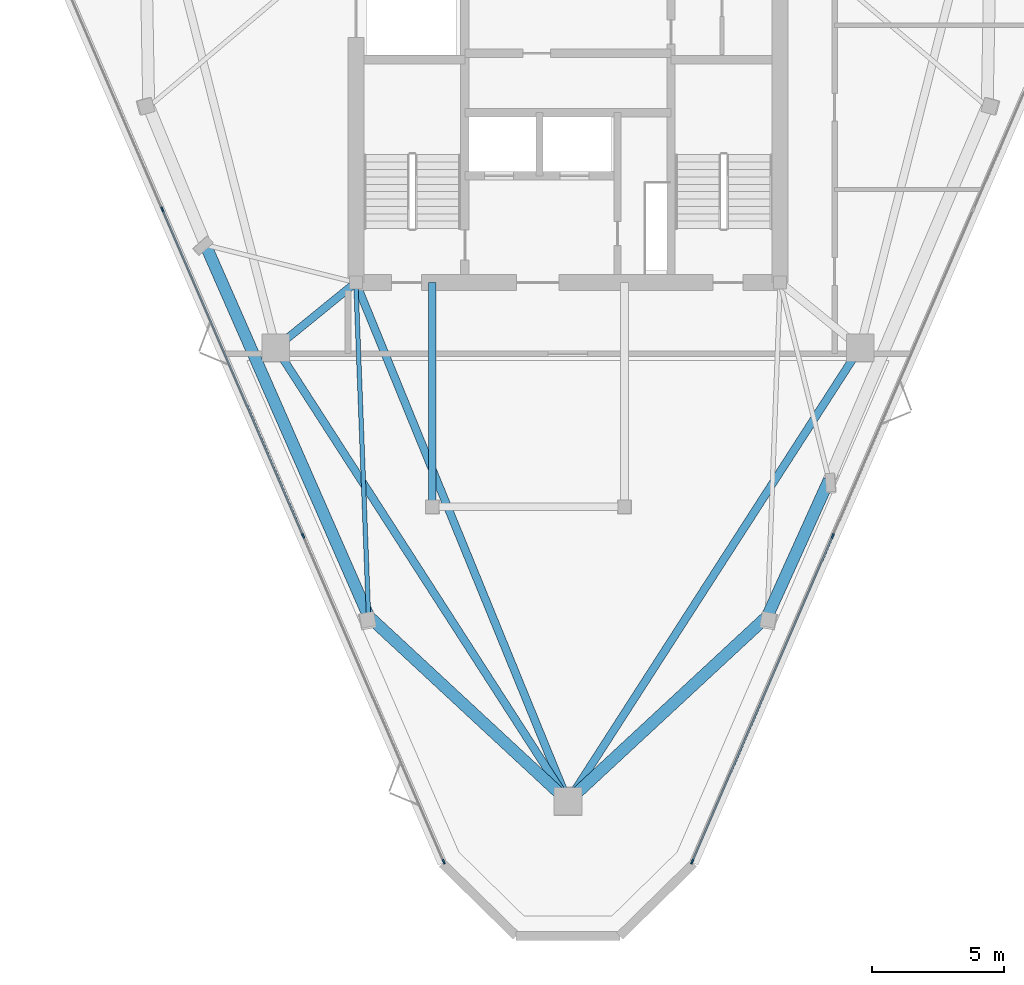
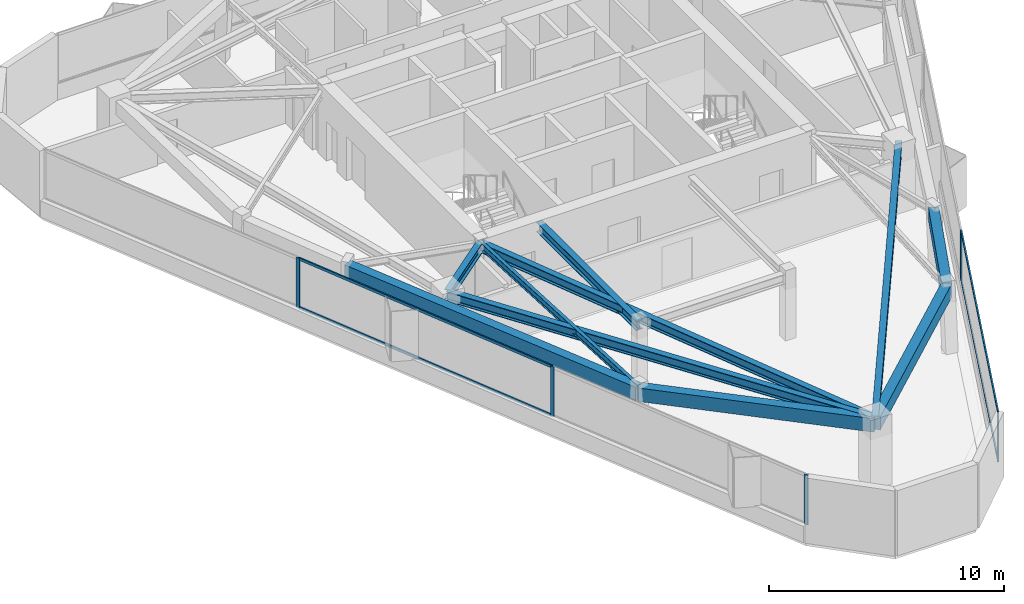
# One storey, part 2 of 9: 10 beams, 9 members, 2 elements without a shape of their own.
"""IFC4 building model written with IfcOpenShell, lengths in metres."""

from ifc_helpers import new_model, si_unit, direction, frame, origin, origin_2d, place, context, subcontext, project, spatial, rectangle, i_section, extrude, material, layer, layer_set, material_profile, profile_set, type_object, element, aggregate, save


model = new_model("IFC4")

# Units and contexts
model_context = context("Model", 3, precision=1e-05, world=origin(), true_north=direction((0.0, 1.0)))
body_context = subcontext(model_context, "Body", "Model", "MODEL_VIEW")
ifc_project = project(units=[si_unit("LENGTHUNIT", "METRE"), si_unit("AREAUNIT", "SQUARE_METRE"), si_unit("VOLUMEUNIT", "CUBIC_METRE"), si_unit("PLANEANGLEUNIT", "RADIAN"), si_unit("MASSUNIT", "GRAM", prefix="KILO")], contexts=[model_context])

# Site, building, storey
site_placement = place(None, origin())
site = spatial("IfcSite", under=ifc_project, at=site_placement, CompositionType="ELEMENT")
building_placement = place(site_placement, origin())
building = spatial("IfcBuilding", under=site, at=building_placement, Name="Talyreon Biosciences Tower", CompositionType="ELEMENT")
storey_placement = place(building_placement, frame((0.0, 0.0, 291.10009765625)))
storey = spatial("IfcBuildingStorey", under=building, at=storey_placement, Name="L77", CompositionType="ELEMENT", Elevation=291.10009765625)

# Curtain wall, members
ifc_material_1 = material(Name="Thermally broken aluminium and low-E glazing", Category="aluminium")
ifc_layer = layer(ifc_material_1, 0.175048828125)
ifc_layer_set = layer_set([ifc_layer], Name="Thermally broken aluminium and low-E glazing")
curtain_wall_type = type_object("IfcCurtainWallType", Name="CurtainWall_Zone5CompLab", PredefinedType="NOTDEFINED", material=ifc_layer_set)
curtain_wall_1_placement = place(storey_placement, origin())
curtain_wall_1 = element("IfcCurtainWall", 1, at=curtain_wall_1_placement, inside=storey, type_object=curtain_wall_type, Name="L77 Unitised Curtain Wall FCW-L77-00", PredefinedType="NOTDEFINED")
ifc_material_2 = material(Name="Anodised thermally broken aluminium", Category="aluminium")
ifc_material_profile_1 = material_profile(ifc_material_2, rectangle(XDim=0.06494140625, YDim=0.179931640625, at=origin_2d()), Name="ALUM MULLION 65x180")
ifc_profile_set_1 = profile_set([ifc_material_profile_1], Name="Anodised thermally broken aluminium")
member_type_1 = type_object("IfcMemberType", Name="CWMullion_65x180", PredefinedType="MULLION", material=ifc_profile_set_1)
member_1_placement = place(storey_placement, frame((61.2861328125, 39.369140625, 0.809814453125), z_axis=(0.0, 0.0, 1.0), x_axis=(-0.918187314575, -0.396146507437, 0.0)))
member_1 = element("IfcMember", 2, at=member_1_placement, type_object=member_type_1, Name="CW6 mullion 1", PredefinedType="MULLION", context=body_context, shape_type="SweptSolid", body=[
    extrude(rectangle(XDim=0.06494140625, YDim=0.179931640625, at=origin_2d()), origin(), (0.0, 0.0, 1.0), 2.590087890625),
])
member_2_placement = place(storey_placement, frame((55.951416015625, 51.733642578125, 0.809814453125), z_axis=(0.0, 0.0, 1.0), x_axis=(-0.918187314575, -0.396146507437, 0.0)))
member_2 = element("IfcMember", 3, at=member_2_placement, type_object=member_type_1, Name="CW6 mullion 2", PredefinedType="MULLION", context=body_context, shape_type="SweptSolid", body=[
    extrude(rectangle(XDim=0.06494140625, YDim=0.179931640625, at=origin_2d()), origin(), (0.0, 0.0, 1.0), 2.590087890625),
])
member_3_placement = place(storey_placement, frame((50.60400390625, 64.1279296875, 0.809814453125), z_axis=(0.0, 0.0, 1.0), x_axis=(-0.918187314575, -0.396146507437, 0.0)))
member_3 = element("IfcMember", 4, at=member_3_placement, type_object=member_type_1, Name="CW6 mullion 3", PredefinedType="MULLION", context=body_context, shape_type="SweptSolid", body=[
    extrude(rectangle(XDim=0.06494140625, YDim=0.179931640625, at=origin_2d()), origin(), (0.0, 0.0, 1.0), 2.590087890625),
])

curtain_wall_2_placement = place(storey_placement, origin())
curtain_wall_2 = element("IfcCurtainWall", 5, at=curtain_wall_2_placement, inside=storey, type_object=curtain_wall_type, Name="L77 Unitised Curtain Wall FCW-L77-08", PredefinedType="NOTDEFINED")
member_4_placement = place(storey_placement, frame((76.048583984375, 51.733642578125, 0.809814453125), z_axis=(0.0, 0.0, 1.0), x_axis=(0.918187314575, -0.396146507437, 0.0)))
member_4 = element("IfcMember", 6, at=member_4_placement, type_object=member_type_1, Name="CW6 mullion 3", PredefinedType="MULLION", context=body_context, shape_type="SweptSolid", body=[
    extrude(rectangle(XDim=0.06494140625, YDim=0.179931640625, at=origin_2d()), origin(), (0.0, 0.0, 1.0), 2.590087890625),
])
member_5_placement = place(storey_placement, frame((70.7138671875, 39.369140625, 0.809814453125), z_axis=(0.0, 0.0, 1.0), x_axis=(0.918187314575, -0.396146507437, 0.0)))
member_5 = element("IfcMember", 7, at=member_5_placement, type_object=member_type_1, Name="CW6 mullion 4", PredefinedType="MULLION", context=body_context, shape_type="SweptSolid", body=[
    extrude(rectangle(XDim=0.06494140625, YDim=0.179931640625, at=origin_2d()), origin(), (0.0, 0.0, 1.0), 2.590087890625),
])

# Member
ifc_material_profile_2 = material_profile(ifc_material_2, rectangle(XDim=0.06494140625, YDim=0.139892578125, at=origin_2d()), Name="ALUM TRANSOM 65x140")
ifc_profile_set_2 = profile_set([ifc_material_profile_2], Name="Anodised thermally broken aluminium")
member_type_2 = type_object("IfcMemberType", Name="CWTransom_65x140", PredefinedType="USERDEFINED", material=ifc_profile_set_2)
member_6_placement = place(storey_placement, frame((55.9384765625, 51.763427734375, 0.84228515625), z_axis=(-0.396140083642, 0.918190086056, 0.0), x_axis=(-0.918190086056, -0.396140083642, 0.0)))
member_6 = element("IfcMember", 8, at=member_6_placement, type_object=member_type_2, Name="CW6 transom 2.1", ObjectType="TRANSOM", PredefinedType="USERDEFINED", context=body_context, shape_type="SweptSolid", body=[
    extrude(rectangle(XDim=0.06494140625, YDim=0.139892578125, at=origin_2d()), origin(), (0.0, 0.0, 1.0), 13.433349609375),
])

member_7_placement = place(storey_placement, frame((55.9384765625, 51.763427734375, 3.367431640625), z_axis=(-0.396140083642, 0.918190086056, 0.0), x_axis=(-0.918190086056, -0.396140083642, 0.0)))
member_7 = element("IfcMember", 9, at=member_7_placement, type_object=member_type_2, Name="CW6 transom 2.2", ObjectType="TRANSOM", PredefinedType="USERDEFINED", context=body_context, shape_type="SweptSolid", body=[
    extrude(rectangle(XDim=0.06494140625, YDim=0.139892578125, at=origin_2d()), origin(), (0.0, 0.0, 1.0), 13.433349609375),
])

aggregate(curtain_wall_1, [member_1, member_2, member_3, member_6, member_7])

member_8_placement = place(storey_placement, frame((76.03564453125, 51.70361328125, 0.84228515625), z_axis=(-0.39614983923, -0.918185877085, 0.0), x_axis=(0.918185877085, -0.39614983923, 0.0)))
member_8 = element("IfcMember", 10, at=member_8_placement, type_object=member_type_2, Name="CW6 transom 3.1", ObjectType="TRANSOM", PredefinedType="USERDEFINED", context=body_context, shape_type="SweptSolid", body=[
    extrude(rectangle(XDim=0.06494140625, YDim=0.139892578125, at=origin_2d()), origin(), (0.0, 0.0, 1.0), 13.401123046875),
])

member_9_placement = place(storey_placement, frame((76.03564453125, 51.70361328125, 3.367431640625), z_axis=(-0.39614983923, -0.918185877085, 0.0), x_axis=(0.918185877085, -0.39614983923, 0.0)))
member_9 = element("IfcMember", 11, at=member_9_placement, type_object=member_type_2, Name="CW6 transom 3.2", ObjectType="TRANSOM", PredefinedType="USERDEFINED", context=body_context, shape_type="SweptSolid", body=[
    extrude(rectangle(XDim=0.06494140625, YDim=0.139892578125, at=origin_2d()), origin(), (0.0, 0.0, 1.0), 13.401123046875),
])

aggregate(curtain_wall_2, [member_4, member_5, member_8, member_9])

# Beams
ifc_material_3 = material(Name="Precast concrete C45/55", Category="concrete")
ifc_material_profile_3 = material_profile(ifc_material_3, rectangle(XDim=0.449951171875, YDim=0.699951171875, at=origin_2d()), Name="RCB 450x700")
ifc_profile_set_3 = profile_set([ifc_material_profile_3], Name="Precast concrete C45/55")
beam_type_1 = type_object("IfcBeamType", Name="ExpressedSpandrel_450x700", PredefinedType="SPANDREL", material=ifc_profile_set_3)
beam_1_placement = place(storey_placement, frame((66.0, 41.6669921875, 3.0498046875), z_axis=(0.73318925778, 0.680024640933, 0.0), x_axis=(-0.680024640933, 0.73318925778, 0.0)))
element("IfcBeam", 12, at=beam_1_placement, inside=storey, type_object=beam_type_1, Name="L77 Expressed Horizontal Concrete Spandrel 01", PredefinedType="SPANDREL", context=body_context, shape_type="SweptSolid", body=[
    extrude(rectangle(XDim=0.449951171875, YDim=0.699951171875, at=origin_2d()), origin(), (0.0, 0.0, 1.0), 10.3232421875),
])
beam_2_placement = place(storey_placement, frame((73.56884765625, 48.68701171875, 3.0498046875), z_axis=(0.412261476552, 0.911065571159, 0.0), x_axis=(-0.911065571159, 0.412261476552, 0.0)))
element("IfcBeam", 13, at=beam_2_placement, inside=storey, type_object=beam_type_1, Name="L77 Expressed Horizontal Concrete Spandrel 02", PredefinedType="SPANDREL", context=body_context, shape_type="SweptSolid", body=[
    extrude(rectangle(XDim=0.449951171875, YDim=0.699951171875, at=origin_2d()), origin(), (0.0, 0.0, 1.0), 5.67041015625),
])
beam_3_placement = place(storey_placement, frame((52.243408203125, 62.77685546875, 3.0498046875), z_axis=(0.402096793527, -0.915597165043, 0.0), x_axis=(0.915597165043, 0.402096793527, 0.0)))
element("IfcBeam", 14, at=beam_3_placement, inside=storey, type_object=beam_type_1, Name="L77 Expressed Horizontal Concrete Spandrel 11", PredefinedType="SPANDREL", context=body_context, shape_type="SweptSolid", body=[
    extrude(rectangle(XDim=0.449951171875, YDim=0.699951171875, at=origin_2d()), origin(), (0.0, 0.0, 1.0), 15.388671875),
])
beam_4_placement = place(storey_placement, frame((58.43115234375, 48.68701171875, 3.0498046875), z_axis=(0.73318925778, -0.680024640933, 0.0), x_axis=(0.680024640933, 0.73318925778, 0.0)))
element("IfcBeam", 15, at=beam_4_placement, inside=storey, type_object=beam_type_1, Name="L77 Expressed Horizontal Concrete Spandrel 12", PredefinedType="SPANDREL", context=body_context, shape_type="SweptSolid", body=[
    extrude(rectangle(XDim=0.449951171875, YDim=0.699951171875, at=origin_2d()), origin(), (0.0, 0.0, 1.0), 10.3232421875),
])
ifc_material_4 = material(Name="Steel SM355", Category="steel")
ifc_material_profile_4 = material_profile(ifc_material_4, i_section(OverallWidth=0.300048828125, OverallDepth=0.5, WebThickness=0.014404296875, FlangeThickness=0.028076171875, FilletRadius=0.027099609375, at=origin_2d()), Name="HE500B")
ifc_profile_set_4 = profile_set([ifc_material_profile_4], Name="Steel SM355")
beam_type_2 = type_object("IfcBeamType", Name="SteelBeam_HE500B", PredefinedType="BEAM", material=ifc_profile_set_4)
for number, where, z_axis, x_axis, name in (
    (16, (66.0, 41.6669921875, 3.14990234375), (0.541463723609, 0.840724114092, 0.0), (-0.840724114092, 0.541463723609, 0.0), "L77 Mega-Ring Girder 1"),
    (17, (54.913818359375, 58.88037109375, 3.14990234375), (0.541463723609, -0.840724114092, 0.0), (0.840724114092, 0.541463723609, 0.0), "L77 Mega-Ring Girder 6"),
):
    element("IfcBeam", number, at=place(storey_placement, frame(where, z_axis=z_axis, x_axis=x_axis)), inside=storey, type_object=beam_type_2, Name=name, PredefinedType="BEAM", context=body_context, shape_type="SweptSolid", body=[
        extrude(i_section(OverallWidth=0.300048828125, OverallDepth=0.5, WebThickness=0.014404296875, FlangeThickness=0.028076171875, FilletRadius=0.027099609375, at=origin_2d()), origin(), (0.0, 0.0, 1.0), 20.474365234375),
    ])
beam_5_placement = place(storey_placement, frame((57.949951171875, 61.35009765625, 3.14990234375), z_axis=(0.378547014545, -0.925582064314, 0.0), x_axis=(0.925582064314, 0.378547014545, 0.0)))
element("IfcBeam", 18, at=beam_5_placement, inside=storey, type_object=beam_type_2, Name="L77 Radial Primary Girder 1", PredefinedType="BEAM", context=body_context, shape_type="SweptSolid", body=[
    extrude(i_section(OverallWidth=0.300048828125, OverallDepth=0.5, WebThickness=0.014404296875, FlangeThickness=0.028076171875, FilletRadius=0.027099609375, at=origin_2d()), origin(), (0.0, 0.0, 1.0), 21.265625),
])
beam_6_placement = place(storey_placement, frame((57.949951171875, 61.35009765625, 3.14990234375), z_axis=(-0.775755154013, -0.631034025249, 0.0), x_axis=(0.631034025249, -0.775755154013, 0.0)))
element("IfcBeam", 19, at=beam_6_placement, inside=storey, type_object=beam_type_2, Name="L77 Radial Primary Girder 6", PredefinedType="BEAM", context=body_context, shape_type="SweptSolid", body=[
    extrude(i_section(OverallWidth=0.300048828125, OverallDepth=0.5, WebThickness=0.014404296875, FlangeThickness=0.028076171875, FilletRadius=0.027099609375, at=origin_2d()), origin(), (0.0, 0.0, 1.0), 3.913818359375),
])
beam_7_placement = place(storey_placement, frame((60.85009765625, 52.840087890625, 3.14990234375), z_axis=(0.0, 1.0, 0.0), x_axis=(-1.0, 0.0, 0.0)))
element("IfcBeam", 20, at=beam_7_placement, inside=storey, type_object=beam_type_2, Name="L77 Crown Shaft Tie Girder W", PredefinedType="BEAM", context=body_context, shape_type="SweptSolid", body=[
    extrude(i_section(OverallWidth=0.300048828125, OverallDepth=0.5, WebThickness=0.014404296875, FlangeThickness=0.028076171875, FilletRadius=0.027099609375, at=origin_2d()), origin(), (0.0, 0.0, 1.0), 8.510009765625),
])
ifc_material_profile_5 = material_profile(ifc_material_4, i_section(OverallWidth=0.169921875, OverallDepth=0.360107421875, WebThickness=0.008056640625, FlangeThickness=0.0126953125, FilletRadius=0.01806640625, at=origin_2d()), Name="IPE360")
ifc_profile_set_5 = profile_set([ifc_material_profile_5], Name="Steel SM355")
beam_type_3 = type_object("IfcBeamType", Name="SteelJoist_IPE360", PredefinedType="JOIST", material=ifc_profile_set_5)
beam_8_placement = place(storey_placement, frame((57.949951171875, 61.35009765625, 3.219970703125), z_axis=(0.037972901486, -0.99927876929, 0.0), x_axis=(0.99927876929, 0.037972901486, 0.0)))
element("IfcBeam", 21, at=beam_8_placement, inside=storey, type_object=beam_type_3, Name="L77 Radial Composite Floor Joist PC-SW2", PredefinedType="JOIST", context=body_context, shape_type="SweptSolid", body=[
    extrude(i_section(OverallWidth=0.169921875, OverallDepth=0.360107421875, WebThickness=0.008056640625, FlangeThickness=0.0126953125, FilletRadius=0.01806640625, at=origin_2d()), origin(), (0.0, 0.0, 1.0), 12.672119140625),
])

save(model, "model.ifc")
